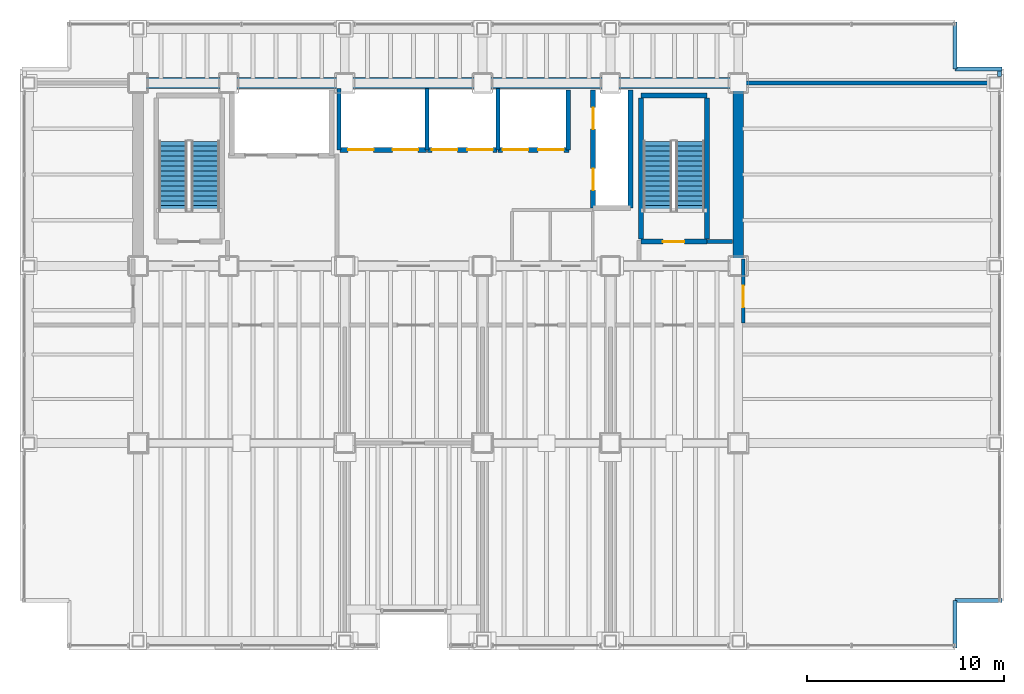
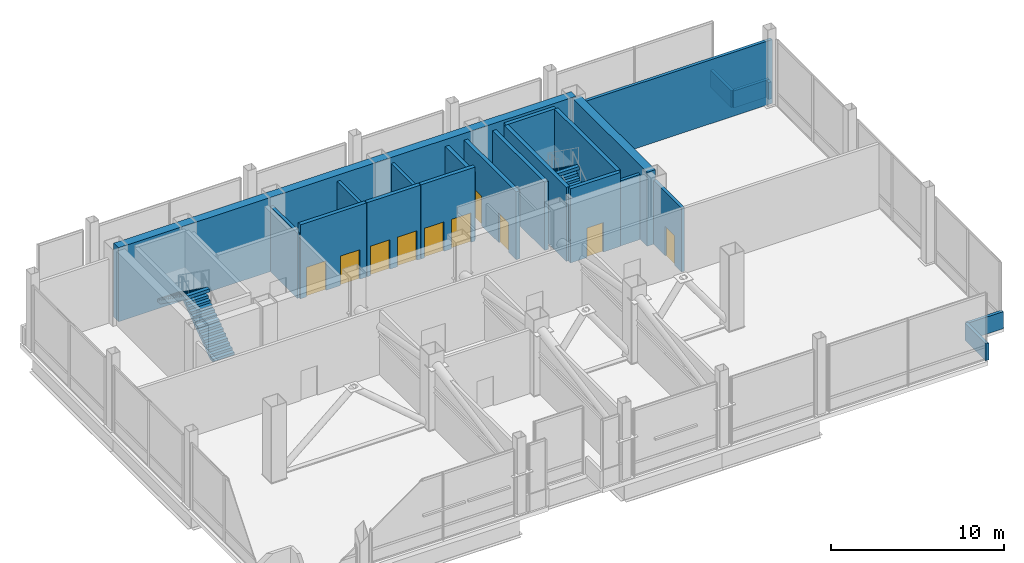
# One storey, part 19 of 20: 23 walls, 10 doors, 4 stair flights, 10 openings, 2 elements without a shape of their own.
"""IFC4 building model written with IfcOpenShell, lengths in metres."""

from ifc_helpers import new_model, si_unit, direction, frame, frame_2d, origin, place, context, subcontext, project, spatial, polyline, rectangle, outline, extrude, material, layer, layer_set, type_object, element, fill, aggregate, save


model = new_model("IFC4")

# Units and contexts
model_context = context("Model", 3, precision=1e-05, world=origin(), true_north=direction((0.0, 1.0)))
body_context = subcontext(model_context, "Body", "Model", "MODEL_VIEW")
ifc_project = project(units=[si_unit("LENGTHUNIT", "METRE"), si_unit("AREAUNIT", "SQUARE_METRE"), si_unit("VOLUMEUNIT", "CUBIC_METRE"), si_unit("PLANEANGLEUNIT", "RADIAN"), si_unit("MASSUNIT", "GRAM", prefix="KILO")], contexts=[model_context])

# Site, building, storey
site_placement = place(None, origin())
site = spatial("IfcSite", under=ifc_project, at=site_placement, CompositionType="ELEMENT")
building_placement = place(site_placement, origin())
building = spatial("IfcBuilding", under=site, at=building_placement, Name="Noeulbin Bourse Tower", CompositionType="ELEMENT")
storey_placement = place(building_placement, frame((0.0, 0.0, 100.60009765625)))
storey = spatial("IfcBuildingStorey", under=building, at=storey_placement, Name="L25", CompositionType="ELEMENT", Elevation=100.60009765625)

# Walls
ifc_material_1 = material(Name="Concrete C60/75", Category="concrete")
ifc_layer_1 = layer(ifc_material_1, 0.550048828125)
ifc_layer_set_1 = layer_set([ifc_layer_1], Name="Concrete C60/75")
wall_type_1 = type_object("IfcWallType", Name="WAL-CORE-550", PredefinedType="SHEAR", material=ifc_layer_set_1)
wall_1_placement = place(storey_placement, frame((13.5, 38.300048828125, 0.0), z_axis=(0.0, 0.0, 1.0), x_axis=(1.0, 0.0, 0.0)))
element("IfcWall", 1, at=wall_1_placement, inside=storey, type_object=wall_type_1, Name="Rear Core North Shear Wall L25", PredefinedType="SHEAR", context=body_context, shape_type="SweptSolid", body=[
    extrude(rectangle(XDim=30.5, YDim=0.550048828125, at=frame_2d((15.25, 0.0))), origin(), (0.0, 0.0, 1.0), 5.219970703125),
])
wall_2_placement = place(storey_placement, frame((44.0, 29.35009765625, 0.0), z_axis=(0.0, 0.0, 1.0), x_axis=(0.0, 1.0, 0.0)))
element("IfcWall", 2, at=wall_2_placement, inside=storey, type_object=wall_type_1, Name="Rear Core East Shear Wall L25", PredefinedType="SHEAR", context=body_context, shape_type="SweptSolid", body=[
    extrude(rectangle(XDim=8.599853515625, YDim=0.550048828125, at=frame_2d((4.2998046875, 0.0))), origin(), (0.0, 0.0, 1.0), 5.219970703125),
])
ifc_material_2 = material(Name="Concrete C40/50", Category="concrete")
ifc_layer_2 = layer(ifc_material_2, 0.199951171875)
ifc_layer_set_2 = layer_set([ifc_layer_2], Name="Concrete C40/50")
wall_type_2 = type_object("IfcWallType", Name="WAL-FIRE-200", PredefinedType="STANDARD", material=ifc_layer_set_2)
wall_3_placement = place(storey_placement, frame((42.39990234375, 30.239990234375, 0.0), z_axis=(0.0, 0.0, 1.0), x_axis=(1.0, 0.0, 0.0)))
element("IfcWall", 3, at=wall_3_placement, inside=storey, type_object=wall_type_2, Name="Interior Partition Wall L25-01", PredefinedType="STANDARD", context=body_context, shape_type="SweptSolid", body=[
    extrude(rectangle(XDim=1.315185546875, YDim=0.199951171875, at=frame_2d((0.65771484375, 0.0))), origin(), (0.0, 0.0, 1.0), 4.599853515625),
])
wall_4_placement = place(storey_placement, frame((44.0, 38.300048828125, 0.0), z_axis=(0.0, 0.0, 1.0), x_axis=(1.0, 0.0, 0.0)))
element("IfcWall", 4, at=wall_4_placement, inside=storey, type_object=wall_type_2, Name="Interior Partition Wall L25-05", PredefinedType="STANDARD", context=body_context, shape_type="SweptSolid", body=[
    extrude(rectangle(XDim=13.18994140625, YDim=0.199951171875, at=frame_2d((6.594970703125, 0.0))), origin(), (0.0, 0.0, 1.0), 4.5),
])

# Wall, opening, door
wall_5_placement = place(storey_placement, frame((44.25, 26.110107421875, 0.0), z_axis=(0.0, 0.0, 1.0), x_axis=(0.0, 1.0, 0.0)))
wall_5 = element("IfcWall", 5, at=wall_5_placement, inside=storey, type_object=wall_type_2, Name="Interior Partition Wall L25-14", PredefinedType="STANDARD", context=body_context, shape_type="SweptSolid", body=[
    extrude(rectangle(XDim=3.239990234375, YDim=0.199951171875, at=frame_2d((1.6201171875, 0.0))), origin(), (0.0, 0.0, 1.0), 4.5),
])
opening_1_placement = place(wall_5_placement, frame((0.7900390625, 0.0, 0.0)))
opening_1 = element("IfcOpeningElement", 6, at=opening_1_placement, cuts=wall_5, Name="Opening FD-11", PredefinedType="OPENING", context=body_context, shape_type="SweptSolid", body=[
    extrude(rectangle(XDim=1.10009765625, YDim=2.080078125, at=frame_2d((0.550048828125, 1.0400390625))), frame((0.0, 0.10986328125, 0.0), z_axis=(0.0, -1.0, 0.0), x_axis=(1.0, 0.0, 0.0)), (0.0, 0.0, 1.0), 0.219970703125),
])
ifc_material_3 = material(Name="Fire-Rated Insulated Steel", Category="steel")
door_type_1 = type_object("IfcDoorType", Name="DR-FD60-1100", OperationType="SINGLE_SWING_LEFT", PredefinedType="DOOR", material=ifc_material_3)
door_1_placement = place(opening_1_placement, origin())
door_1 = element("IfcDoor", 7, at=door_1_placement, inside=storey, type_object=door_type_1, Name="Interior Door L25-08", OperationType="SINGLE_SWING_RIGHT", OverallHeight=2.080078125, OverallWidth=1.10009765625, PredefinedType="DOOR", context=body_context, shape_type="SweptSolid", body=[
    extrude(rectangle(XDim=1.10009765625, YDim=2.080078125, at=frame_2d((0.550048828125, 1.0400390625))), frame((0.0, 0.02490234375, 0.0), z_axis=(0.0, -1.0, 0.0), x_axis=(1.0, 0.0, 0.0)), (0.0, 0.0, 1.0), 0.050048828125),
])
fill(opening_1, door_1)

# Walls
ifc_layer_3 = layer(ifc_material_2, 0.199951171875)
ifc_layer_set_3 = layer_set([ifc_layer_3], Name="Concrete C40/50")
wall_type_3 = type_object("IfcWallType", Name="WAL-PAR-200", PredefinedType="PARAPET", material=ifc_layer_set_3)
wall_6_placement = place(storey_placement, frame((57.280029296875, 38.6201171875, 0.0), z_axis=(0.0, 0.0, 1.0), x_axis=(0.0, 1.0, 0.0)))
element("IfcWall", 8, at=wall_6_placement, inside=storey, type_object=wall_type_3, Name="Perimeter Pier Spandrel Parapet L25-E2", PredefinedType="PARAPET", context=body_context, shape_type="SweptSolid", body=[
    extrude(rectangle(XDim=0.27978515625, YDim=0.199951171875, at=frame_2d((0.139892578125, 0.0))), origin(), (0.0, 0.0, 1.0), 1.199951171875),
])
for number, where, z_axis, x_axis, name in (
    (9, (55.0, 9.60009765625, 0.0), (0.0, 0.0, 1.0), (0.0, 1.0, 0.0), "Corner Notch Parapet L25-SE1"),
    (10, (55.0, 12.0, 0.0), (0.0, 0.0, 1.0), (1.0, 0.0, 0.0), "Corner Notch Parapet L25-SE2"),
    (11, (55.0, 41.39990234375, 0.0), (0.0, 0.0, 1.0), (0.0, -1.0, 0.0), "Corner Notch Parapet L25-NE1"),
    (12, (55.0, 39.0, 0.0), (0.0, 0.0, 1.0), (1.0, 0.0, 0.0), "Corner Notch Parapet L25-NE2"),
):
    element("IfcWall", number, at=place(storey_placement, frame(where, z_axis=z_axis, x_axis=x_axis)), inside=storey, type_object=wall_type_3, Name=name, PredefinedType="PARAPET", context=body_context, shape_type="SweptSolid", body=[
        extrude(rectangle(XDim=2.39990234375, YDim=0.199951171875, at=frame_2d((1.199951171875, 0.0))), origin(), (0.0, 0.0, 1.0), 1.199951171875),
    ])

# Wall, opening, door
ifc_layer_4 = layer(ifc_material_2, 0.25)
ifc_layer_set_4 = layer_set([ifc_layer_4], Name="Concrete C40/50")
wall_type_4 = type_object("IfcWallType", Name="WAL-SHFT-250", PredefinedType="STANDARD", material=ifc_layer_set_4)
wall_7_placement = place(storey_placement, frame((39.06005859375, 30.235107421875, 0.0), z_axis=(0.0, 0.0, 1.0), x_axis=(1.0, 0.0, 0.0)))
wall_7 = element("IfcWall", 13, at=wall_7_placement, inside=storey, type_object=wall_type_4, Name="Stair ST-2 South Shaft Wall L25", PredefinedType="STANDARD", context=body_context, shape_type="SweptSolid", body=[
    extrude(rectangle(XDim=3.33984375, YDim=0.25, at=frame_2d((1.669921875, 0.0))), origin(), (0.0, 0.0, 1.0), 5.219970703125),
])
opening_2_placement = place(wall_7_placement, frame((1.10009765625, 0.0, 0.0)))
opening_2 = element("IfcOpeningElement", 14, at=opening_2_placement, cuts=wall_7, Name="Opening FD-11", PredefinedType="OPENING", context=body_context, shape_type="SweptSolid", body=[
    extrude(rectangle(XDim=1.10009765625, YDim=2.080078125, at=frame_2d((0.550048828125, 1.0400390625))), frame((0.0, 0.135009765625, 0.0), z_axis=(0.0, -1.0, 0.0), x_axis=(1.0, 0.0, 0.0)), (0.0, 0.0, 1.0), 0.27001953125),
])
door_2_placement = place(opening_2_placement, origin())
door_2 = element("IfcDoor", 15, at=door_2_placement, inside=storey, type_object=door_type_1, Name="Protected Stair Entry Door ST2-L25", OperationType="SINGLE_SWING_RIGHT", OverallHeight=2.080078125, OverallWidth=1.10009765625, PredefinedType="DOOR", context=body_context, shape_type="SweptSolid", body=[
    extrude(rectangle(XDim=1.10009765625, YDim=2.080078125, at=frame_2d((0.550048828125, 1.0400390625))), frame((0.0, 0.02490234375, 0.0), z_axis=(0.0, -1.0, 0.0), x_axis=(1.0, 0.0, 0.0)), (0.0, 0.0, 1.0), 0.050048828125),
])
fill(opening_2, door_2)

# Walls
wall_8_placement = place(storey_placement, frame((39.06005859375, 37.6689453125, 0.0), z_axis=(0.0, 0.0, 1.0), x_axis=(1.0, 0.0, 0.0)))
element("IfcWall", 16, at=wall_8_placement, inside=storey, type_object=wall_type_4, Name="Stair ST-2 North Shaft Wall L25", PredefinedType="STANDARD", context=body_context, shape_type="SweptSolid", body=[
    extrude(rectangle(XDim=3.33984375, YDim=0.25, at=frame_2d((1.669921875, 0.0))), origin(), (0.0, 0.0, 1.0), 5.219970703125),
])
for number, where, z_axis, x_axis, name in (
    (17, (39.054931640625, 30.360107421875, 0.0), (0.0, 0.0, 1.0), (0.0, 1.0, 0.0), "Stair ST-2 West Shaft Wall L25"),
    (18, (42.405029296875, 30.360107421875, 0.0), (0.0, 0.0, 1.0), (0.0, 1.0, 0.0), "Stair ST-2 East Shaft Wall L25"),
):
    element("IfcWall", number, at=place(storey_placement, frame(where, z_axis=z_axis, x_axis=x_axis)), inside=storey, type_object=wall_type_4, Name=name, PredefinedType="STANDARD", context=body_context, shape_type="SweptSolid", body=[
        extrude(rectangle(XDim=7.183837890625, YDim=0.25, at=frame_2d((3.591796875, 0.0))), origin(), (0.0, 0.0, 1.0), 5.219970703125),
    ])

# Wall, openings, doors
wall_9_placement = place(storey_placement, frame((36.6201171875, 31.949951171875, 0.0), z_axis=(0.0, 0.0, 1.0), x_axis=(0.0, 1.0, 0.0)))
wall_9 = element("IfcWall", 19, at=wall_9_placement, inside=storey, type_object=wall_type_4, Name="Service Lift Shaft Wall L25", PredefinedType="STANDARD", context=body_context, shape_type="SweptSolid", body=[
    extrude(rectangle(XDim=6.0, YDim=0.25, at=frame_2d((3.0, 0.0))), origin(), (0.0, 0.0, 1.0), 4.7998046875),
])
opening_3_placement = place(wall_9_placement, frame((0.89990234375, 0.0, 0.0)))
opening_3 = element("IfcOpeningElement", 20, at=opening_3_placement, cuts=wall_9, Name="Opening LD-11", PredefinedType="OPENING", context=body_context, shape_type="SweptSolid", body=[
    extrude(rectangle(XDim=1.10009765625, YDim=2.080078125, at=frame_2d((0.550048828125, 1.0400390625))), frame((0.0, 0.135009765625, 0.0), z_axis=(0.0, -1.0, 0.0), x_axis=(1.0, 0.0, 0.0)), (0.0, 0.0, 1.0), 0.27001953125),
])
opening_4_placement = place(wall_9_placement, frame((4.0, 0.0, 0.0)))
opening_4 = element("IfcOpeningElement", 21, at=opening_4_placement, cuts=wall_9, Name="Opening LD-11", PredefinedType="OPENING", context=body_context, shape_type="SweptSolid", body=[
    extrude(rectangle(XDim=1.10009765625, YDim=2.080078125, at=frame_2d((0.550048828125, 1.0400390625))), frame((0.0, 0.135009765625, 0.0), z_axis=(0.0, -1.0, 0.0), x_axis=(1.0, 0.0, 0.0)), (0.0, 0.0, 1.0), 0.27001953125),
])
ifc_material_4 = material(Name="Brushed Stainless Steel 316", Category="steel")
door_type_2 = type_object("IfcDoorType", Name="DR-LIFT-1100", OperationType="SLIDING_TO_LEFT", PredefinedType="DOOR", material=ifc_material_4)
door_3_placement = place(opening_3_placement, origin())
door_3 = element("IfcDoor", 22, at=door_3_placement, inside=storey, type_object=door_type_2, Name="Lift Landing Door LD-EL-01-L25", OperationType="SLIDING_TO_LEFT", OverallHeight=2.080078125, OverallWidth=1.10009765625, PredefinedType="DOOR", context=body_context, shape_type="SweptSolid", body=[
    extrude(rectangle(XDim=1.10009765625, YDim=2.080078125, at=frame_2d((0.550048828125, 1.0400390625))), frame((0.0, 0.02490234375, 0.0), z_axis=(0.0, -1.0, 0.0), x_axis=(1.0, 0.0, 0.0)), (0.0, 0.0, 1.0), 0.050048828125),
])
fill(opening_3, door_3)
door_4_placement = place(opening_4_placement, origin())
door_4 = element("IfcDoor", 23, at=door_4_placement, inside=storey, type_object=door_type_2, Name="Lift Landing Door LD-SV-01-L25", OperationType="SLIDING_TO_LEFT", OverallHeight=2.080078125, OverallWidth=1.10009765625, PredefinedType="DOOR", context=body_context, shape_type="SweptSolid", body=[
    extrude(rectangle(XDim=1.10009765625, YDim=2.080078125, at=frame_2d((0.550048828125, 1.0400390625))), frame((0.0, 0.02490234375, 0.0), z_axis=(0.0, -1.0, 0.0), x_axis=(1.0, 0.0, 0.0)), (0.0, 0.0, 1.0), 0.050048828125),
])
fill(opening_4, door_4)

# Walls
wall_10_placement = place(storey_placement, frame((38.52001953125, 31.949951171875, 0.0), z_axis=(0.0, 0.0, 1.0), x_axis=(0.0, 1.0, 0.0)))
element("IfcWall", 24, at=wall_10_placement, inside=storey, type_object=wall_type_4, Name="Service Lift East Shaft Wall L25", PredefinedType="STANDARD", context=body_context, shape_type="SweptSolid", body=[
    extrude(rectangle(XDim=6.0, YDim=0.25, at=frame_2d((3.0, 0.0))), origin(), (0.0, 0.0, 1.0), 4.7998046875),
])
wall_11_placement = place(storey_placement, frame((35.360107421875, 34.89990234375, 0.0), z_axis=(0.0, 0.0, 1.0), x_axis=(0.0, 1.0, 0.0)))
element("IfcWall", 25, at=wall_11_placement, inside=storey, type_object=wall_type_4, Name="High-Rise Lift East Shaft Wall L25", PredefinedType="STANDARD", context=body_context, shape_type="SweptSolid", body=[
    extrude(rectangle(XDim=3.050048828125, YDim=0.25, at=frame_2d((1.52490234375, 0.0))), origin(), (0.0, 0.0, 1.0), 4.7998046875),
])

# Wall, openings, doors
wall_12_placement = place(storey_placement, frame((23.75, 34.89990234375, 0.0), z_axis=(0.0, 0.0, 1.0), x_axis=(1.0, 0.0, 0.0)))
wall_12 = element("IfcWall", 26, at=wall_12_placement, inside=storey, type_object=wall_type_4, Name="Low-Rise Lift Bank Front L25", PredefinedType="STANDARD", context=body_context, shape_type="SweptSolid", body=[
    extrude(rectangle(XDim=4.39990234375, YDim=0.25, at=frame_2d((2.199951171875, 0.0))), origin(), (0.0, 0.0, 1.0), 5.219970703125),
])
opening_5_placement = place(wall_12_placement, frame((0.419921875, 0.0, 0.0)))
opening_5 = element("IfcOpeningElement", 27, at=opening_5_placement, cuts=wall_12, Name="Opening LD-13", PredefinedType="OPENING", context=body_context, shape_type="SweptSolid", body=[
    extrude(rectangle(XDim=1.300048828125, YDim=2.080078125, at=frame_2d((0.64990234375, 1.0400390625))), frame((0.0, 0.135009765625, 0.0), z_axis=(0.0, -1.0, 0.0), x_axis=(1.0, 0.0, 0.0)), (0.0, 0.0, 1.0), 0.27001953125),
])
opening_6_placement = place(wall_12_placement, frame((2.679931640625, 0.0, 0.0)))
opening_6 = element("IfcOpeningElement", 28, at=opening_6_placement, cuts=wall_12, Name="Opening LD-13", PredefinedType="OPENING", context=body_context, shape_type="SweptSolid", body=[
    extrude(rectangle(XDim=1.300048828125, YDim=2.080078125, at=frame_2d((0.64990234375, 1.0400390625))), frame((0.0, 0.135009765625, 0.0), z_axis=(0.0, -1.0, 0.0), x_axis=(1.0, 0.0, 0.0)), (0.0, 0.0, 1.0), 0.27001953125),
])
door_type_3 = type_object("IfcDoorType", Name="DR-LIFT-1300", OperationType="DOUBLE_DOOR_SLIDING", PredefinedType="DOOR", material=ifc_material_4)
door_5_placement = place(opening_5_placement, origin())
door_5 = element("IfcDoor", 29, at=door_5_placement, inside=storey, type_object=door_type_3, Name="Lift Landing Door LD-PL-L1-L25", OperationType="DOUBLE_DOOR_SLIDING", OverallHeight=2.080078125, OverallWidth=1.300048828125, PredefinedType="DOOR", context=body_context, shape_type="SweptSolid", body=[
    extrude(rectangle(XDim=1.300048828125, YDim=2.080078125, at=frame_2d((0.64990234375, 1.0400390625))), frame((0.0, 0.02490234375, 0.0), z_axis=(0.0, -1.0, 0.0), x_axis=(1.0, 0.0, 0.0)), (0.0, 0.0, 1.0), 0.050048828125),
])
fill(opening_5, door_5)
door_6_placement = place(opening_6_placement, origin())
door_6 = element("IfcDoor", 30, at=door_6_placement, inside=storey, type_object=door_type_3, Name="Lift Landing Door LD-PL-L2-L25", OperationType="DOUBLE_DOOR_SLIDING", OverallHeight=2.080078125, OverallWidth=1.300048828125, PredefinedType="DOOR", context=body_context, shape_type="SweptSolid", body=[
    extrude(rectangle(XDim=1.300048828125, YDim=2.080078125, at=frame_2d((0.64990234375, 1.0400390625))), frame((0.0, 0.02490234375, 0.0), z_axis=(0.0, -1.0, 0.0), x_axis=(1.0, 0.0, 0.0)), (0.0, 0.0, 1.0), 0.050048828125),
])
fill(opening_6, door_6)

wall_13_placement = place(storey_placement, frame((28.199951171875, 34.89990234375, 0.0), z_axis=(0.0, 0.0, 1.0), x_axis=(1.0, 0.0, 0.0)))
wall_13 = element("IfcWall", 31, at=wall_13_placement, inside=storey, type_object=wall_type_4, Name="Mid-Rise Lift Bank Front L25", PredefinedType="STANDARD", context=body_context, shape_type="SweptSolid", body=[
    extrude(rectangle(XDim=3.550048828125, YDim=0.25, at=frame_2d((1.77490234375, 0.0))), origin(), (0.0, 0.0, 1.0), 5.219970703125),
])
opening_7_placement = place(wall_13_placement, frame((0.22998046875, 0.0, 0.0)))
opening_7 = element("IfcOpeningElement", 32, at=opening_7_placement, cuts=wall_13, Name="Opening LD-13", PredefinedType="OPENING", context=body_context, shape_type="SweptSolid", body=[
    extrude(rectangle(XDim=1.300048828125, YDim=2.080078125, at=frame_2d((0.64990234375, 1.0400390625))), frame((0.0, 0.135009765625, 0.0), z_axis=(0.0, -1.0, 0.0), x_axis=(1.0, 0.0, 0.0)), (0.0, 0.0, 1.0), 0.27001953125),
])
opening_8_placement = place(wall_13_placement, frame((2.030029296875, 0.0, 0.0)))
opening_8 = element("IfcOpeningElement", 33, at=opening_8_placement, cuts=wall_13, Name="Opening LD-13", PredefinedType="OPENING", context=body_context, shape_type="SweptSolid", body=[
    extrude(rectangle(XDim=1.300048828125, YDim=2.080078125, at=frame_2d((0.64990234375, 1.0400390625))), frame((0.0, 0.135009765625, 0.0), z_axis=(0.0, -1.0, 0.0), x_axis=(1.0, 0.0, 0.0)), (0.0, 0.0, 1.0), 0.27001953125),
])
door_7_placement = place(opening_7_placement, origin())
door_7 = element("IfcDoor", 34, at=door_7_placement, inside=storey, type_object=door_type_3, Name="Lift Landing Door LD-PL-M1-L25", OperationType="DOUBLE_DOOR_SLIDING", OverallHeight=2.080078125, OverallWidth=1.300048828125, PredefinedType="DOOR", context=body_context, shape_type="SweptSolid", body=[
    extrude(rectangle(XDim=1.300048828125, YDim=2.080078125, at=frame_2d((0.64990234375, 1.0400390625))), frame((0.0, 0.02490234375, 0.0), z_axis=(0.0, -1.0, 0.0), x_axis=(1.0, 0.0, 0.0)), (0.0, 0.0, 1.0), 0.050048828125),
])
fill(opening_7, door_7)
door_8_placement = place(opening_8_placement, origin())
door_8 = element("IfcDoor", 35, at=door_8_placement, inside=storey, type_object=door_type_3, Name="Lift Landing Door LD-PL-M2-L25", OperationType="DOUBLE_DOOR_SLIDING", OverallHeight=2.080078125, OverallWidth=1.300048828125, PredefinedType="DOOR", context=body_context, shape_type="SweptSolid", body=[
    extrude(rectangle(XDim=1.300048828125, YDim=2.080078125, at=frame_2d((0.64990234375, 1.0400390625))), frame((0.0, 0.02490234375, 0.0), z_axis=(0.0, -1.0, 0.0), x_axis=(1.0, 0.0, 0.0)), (0.0, 0.0, 1.0), 0.050048828125),
])
fill(opening_8, door_8)

wall_14_placement = place(storey_placement, frame((31.800048828125, 34.89990234375, 0.0), z_axis=(0.0, 0.0, 1.0), x_axis=(1.0, 0.0, 0.0)))
wall_14 = element("IfcWall", 36, at=wall_14_placement, inside=storey, type_object=wall_type_4, Name="High-Rise Lift Bank Front L25", PredefinedType="STANDARD", context=body_context, shape_type="SweptSolid", body=[
    extrude(rectangle(XDim=3.599853515625, YDim=0.25, at=frame_2d((1.7998046875, 0.0))), origin(), (0.0, 0.0, 1.0), 5.219970703125),
])
opening_9_placement = place(wall_14_placement, frame((0.22998046875, 0.0, 0.0)))
opening_9 = element("IfcOpeningElement", 37, at=opening_9_placement, cuts=wall_14, Name="Opening LD-13", PredefinedType="OPENING", context=body_context, shape_type="SweptSolid", body=[
    extrude(rectangle(XDim=1.300048828125, YDim=2.080078125, at=frame_2d((0.64990234375, 1.0400390625))), frame((0.0, 0.135009765625, 0.0), z_axis=(0.0, -1.0, 0.0), x_axis=(1.0, 0.0, 0.0)), (0.0, 0.0, 1.0), 0.27001953125),
])
opening_10_placement = place(wall_14_placement, frame((2.030029296875, 0.0, 0.0)))
opening_10 = element("IfcOpeningElement", 38, at=opening_10_placement, cuts=wall_14, Name="Opening LD-13", PredefinedType="OPENING", context=body_context, shape_type="SweptSolid", body=[
    extrude(rectangle(XDim=1.300048828125, YDim=2.080078125, at=frame_2d((0.64990234375, 1.0400390625))), frame((0.0, 0.135009765625, 0.0), z_axis=(0.0, -1.0, 0.0), x_axis=(1.0, 0.0, 0.0)), (0.0, 0.0, 1.0), 0.27001953125),
])
door_9_placement = place(opening_9_placement, origin())
door_9 = element("IfcDoor", 39, at=door_9_placement, inside=storey, type_object=door_type_3, Name="Lift Landing Door LD-PL-H1-L25", OperationType="DOUBLE_DOOR_SLIDING", OverallHeight=2.080078125, OverallWidth=1.300048828125, PredefinedType="DOOR", context=body_context, shape_type="SweptSolid", body=[
    extrude(rectangle(XDim=1.300048828125, YDim=2.080078125, at=frame_2d((0.64990234375, 1.0400390625))), frame((0.0, 0.02490234375, 0.0), z_axis=(0.0, -1.0, 0.0), x_axis=(1.0, 0.0, 0.0)), (0.0, 0.0, 1.0), 0.050048828125),
])
fill(opening_9, door_9)
door_10_placement = place(opening_10_placement, origin())
door_10 = element("IfcDoor", 40, at=door_10_placement, inside=storey, type_object=door_type_3, Name="Lift Landing Door LD-PL-H2-L25", OperationType="DOUBLE_DOOR_SLIDING", OverallHeight=2.080078125, OverallWidth=1.300048828125, PredefinedType="DOOR", context=body_context, shape_type="SweptSolid", body=[
    extrude(rectangle(XDim=1.300048828125, YDim=2.080078125, at=frame_2d((0.64990234375, 1.0400390625))), frame((0.0, 0.02490234375, 0.0), z_axis=(0.0, -1.0, 0.0), x_axis=(1.0, 0.0, 0.0)), (0.0, 0.0, 1.0), 0.050048828125),
])
fill(opening_10, door_10)

# Walls
wall_15_placement = place(storey_placement, frame((23.719970703125, 34.89990234375, 0.0), z_axis=(0.0, 0.0, 1.0), x_axis=(0.0, 1.0, 0.0)))
element("IfcWall", 41, at=wall_15_placement, inside=storey, type_object=wall_type_4, Name="Hoistway Side Shaft Wall L25-PLLW", PredefinedType="STANDARD", context=body_context, shape_type="SweptSolid", body=[
    extrude(rectangle(XDim=3.1201171875, YDim=0.199951171875, at=frame_2d((1.56005859375, 0.0))), origin(), (0.0, 0.0, 1.0), 4.599853515625),
])
for number, where, z_axis, x_axis, name in (
    (42, (28.179931640625, 34.89990234375, 0.0), (0.0, 0.0, 1.0), (0.0, 1.0, 0.0), "Hoistway Side Shaft Wall L25-PLMW"),
    (43, (31.780029296875, 34.89990234375, 0.0), (0.0, 0.0, 1.0), (0.0, 1.0, 0.0), "Hoistway Side Shaft Wall L25-PLHW"),
):
    element("IfcWall", number, at=place(storey_placement, frame(where, z_axis=z_axis, x_axis=x_axis)), inside=storey, type_object=wall_type_4, Name=name, PredefinedType="STANDARD", context=body_context, shape_type="SweptSolid", body=[
        extrude(rectangle(XDim=3.1201171875, YDim=0.199951171875, at=frame_2d((1.56005859375, 0.0))), origin(), (0.0, 0.0, 1.0), 4.7998046875),
    ])

# Stair, stair flights
stair_type = type_object("IfcStairType", Name="STR-CORE-1560", PredefinedType="HALF_TURN_STAIR", material=ifc_material_2)
stair_1_placement = place(storey_placement, origin())
stair_1 = element("IfcStair", 44, at=stair_1_placement, inside=storey, type_object=stair_type, Name="L25 ST-1", PredefinedType="HALF_TURN_STAIR")
stair_flight_type = type_object("IfcStairFlightType", Name="SFL-CORE-1560", PredefinedType="STRAIGHT", material=ifc_material_2)
stair_flight_1_placement = place(storey_placement, frame((16.925048828125, 31.81005859375, 0.0), z_axis=(0.0, 0.0, 1.0), x_axis=(0.0, 1.0, 0.0)))
stair_flight_1 = element("IfcStairFlight", 45, at=stair_flight_1_placement, type_object=stair_flight_type, Name="ST-1 flight 1", NumberOfRisers=15, NumberOfTreads=14, PredefinedType="STRAIGHT", RiserHeight=0.18, TreadLength=0.252, context=body_context, shape_type="SweptSolid", body=[
    extrude(outline(polyline([(0.0, 0.0), (0.0, 0.179931640625), (0.251953125, 0.179931640625), (0.251953125, 0.360107421875), (0.50390625, 0.360107421875), (0.50390625, 0.5400390625), (0.756103515625, 0.5400390625), (0.756103515625, 0.719970703125), (1.008056640625, 0.719970703125), (1.008056640625, 0.89990234375), (1.260009765625, 0.89990234375), (1.260009765625, 1.080078125), (1.511962890625, 1.080078125), (1.511962890625, 1.260009765625), (1.763916015625, 1.260009765625), (1.763916015625, 1.43994140625), (2.01611328125, 1.43994140625), (2.01611328125, 1.6201171875), (2.26806640625, 1.6201171875), (2.26806640625, 1.800048828125), (2.52001953125, 1.800048828125), (2.52001953125, 1.97998046875), (2.77197265625, 1.97998046875), (2.77197265625, 2.159912109375), (3.02392578125, 2.159912109375), (3.02392578125, 2.340087890625), (3.27587890625, 2.340087890625), (3.27587890625, 2.52001953125), (3.528076171875, 2.52001953125), (3.528076171875, 2.699951171875), (3.528076171875, 2.298828125), (0.3095703125, 0.0), (0.0, 0.0)])), frame((0.0, 0.72509765625, 0.0), z_axis=(0.0, -1.0, 0.0), x_axis=(1.0, 0.0, 0.0)), (0.0, 0.0, 1.0), 1.449951171875),
])
stair_flight_2_placement = place(storey_placement, frame((15.27490234375, 35.337890625, 2.699951171875), z_axis=(0.0, 0.0, 1.0), x_axis=(0.0, -1.0, 0.0)))
stair_flight_2 = element("IfcStairFlight", 46, at=stair_flight_2_placement, type_object=stair_flight_type, Name="ST-1 flight 2", NumberOfRisers=15, NumberOfTreads=14, PredefinedType="STRAIGHT", RiserHeight=0.18, TreadLength=0.252, context=body_context, shape_type="SweptSolid", body=[
    extrude(outline(polyline([(0.0, 0.0), (0.0, 0.179931640625), (0.251953125, 0.179931640625), (0.251953125, 0.360107421875), (0.50390625, 0.360107421875), (0.50390625, 0.5400390625), (0.756103515625, 0.5400390625), (0.756103515625, 0.719970703125), (1.008056640625, 0.719970703125), (1.008056640625, 0.89990234375), (1.260009765625, 0.89990234375), (1.260009765625, 1.080078125), (1.511962890625, 1.080078125), (1.511962890625, 1.260009765625), (1.763916015625, 1.260009765625), (1.763916015625, 1.43994140625), (2.01611328125, 1.43994140625), (2.01611328125, 1.6201171875), (2.26806640625, 1.6201171875), (2.26806640625, 1.800048828125), (2.52001953125, 1.800048828125), (2.52001953125, 1.97998046875), (2.77197265625, 1.97998046875), (2.77197265625, 2.159912109375), (3.02392578125, 2.159912109375), (3.02392578125, 2.340087890625), (3.27587890625, 2.340087890625), (3.27587890625, 2.52001953125), (3.528076171875, 2.52001953125), (3.528076171875, 2.699951171875), (3.528076171875, 2.298828125), (0.3095703125, 0.0), (0.0, 0.0)])), frame((0.0, 0.72509765625, 0.0), z_axis=(0.0, -1.0, 0.0), x_axis=(1.0, 0.0, 0.0)), (0.0, 0.0, 1.0), 1.449951171875),
])
aggregate(stair_1, [stair_flight_1, stair_flight_2])

stair_2_placement = place(storey_placement, origin())
stair_2 = element("IfcStair", 47, at=stair_2_placement, inside=storey, type_object=stair_type, Name="L25 ST-2", PredefinedType="HALF_TURN_STAIR")
stair_flight_3_placement = place(storey_placement, frame((41.554931640625, 31.81005859375, 0.0), z_axis=(0.0, 0.0, 1.0), x_axis=(0.0, 1.0, 0.0)))
stair_flight_3 = element("IfcStairFlight", 48, at=stair_flight_3_placement, type_object=stair_flight_type, Name="ST-2 flight 1", NumberOfRisers=15, NumberOfTreads=14, PredefinedType="STRAIGHT", RiserHeight=0.18, TreadLength=0.252, context=body_context, shape_type="SweptSolid", body=[
    extrude(outline(polyline([(0.0, 0.0), (0.0, 0.179931640625), (0.251953125, 0.179931640625), (0.251953125, 0.360107421875), (0.50390625, 0.360107421875), (0.50390625, 0.5400390625), (0.756103515625, 0.5400390625), (0.756103515625, 0.719970703125), (1.008056640625, 0.719970703125), (1.008056640625, 0.89990234375), (1.260009765625, 0.89990234375), (1.260009765625, 1.080078125), (1.511962890625, 1.080078125), (1.511962890625, 1.260009765625), (1.763916015625, 1.260009765625), (1.763916015625, 1.43994140625), (2.01611328125, 1.43994140625), (2.01611328125, 1.6201171875), (2.26806640625, 1.6201171875), (2.26806640625, 1.800048828125), (2.52001953125, 1.800048828125), (2.52001953125, 1.97998046875), (2.77197265625, 1.97998046875), (2.77197265625, 2.159912109375), (3.02392578125, 2.159912109375), (3.02392578125, 2.340087890625), (3.27587890625, 2.340087890625), (3.27587890625, 2.52001953125), (3.528076171875, 2.52001953125), (3.528076171875, 2.699951171875), (3.528076171875, 2.298828125), (0.3095703125, 0.0), (0.0, 0.0)])), frame((0.0, 0.72509765625, 0.0), z_axis=(0.0, -1.0, 0.0), x_axis=(1.0, 0.0, 0.0)), (0.0, 0.0, 1.0), 1.449951171875),
])
stair_flight_4_placement = place(storey_placement, frame((39.905029296875, 35.337890625, 2.699951171875), z_axis=(0.0, 0.0, 1.0), x_axis=(0.0, -1.0, 0.0)))
stair_flight_4 = element("IfcStairFlight", 49, at=stair_flight_4_placement, type_object=stair_flight_type, Name="ST-2 flight 2", NumberOfRisers=15, NumberOfTreads=14, PredefinedType="STRAIGHT", RiserHeight=0.18, TreadLength=0.252, context=body_context, shape_type="SweptSolid", body=[
    extrude(outline(polyline([(0.0, 0.0), (0.0, 0.179931640625), (0.251953125, 0.179931640625), (0.251953125, 0.360107421875), (0.50390625, 0.360107421875), (0.50390625, 0.5400390625), (0.756103515625, 0.5400390625), (0.756103515625, 0.719970703125), (1.008056640625, 0.719970703125), (1.008056640625, 0.89990234375), (1.260009765625, 0.89990234375), (1.260009765625, 1.080078125), (1.511962890625, 1.080078125), (1.511962890625, 1.260009765625), (1.763916015625, 1.260009765625), (1.763916015625, 1.43994140625), (2.01611328125, 1.43994140625), (2.01611328125, 1.6201171875), (2.26806640625, 1.6201171875), (2.26806640625, 1.800048828125), (2.52001953125, 1.800048828125), (2.52001953125, 1.97998046875), (2.77197265625, 1.97998046875), (2.77197265625, 2.159912109375), (3.02392578125, 2.159912109375), (3.02392578125, 2.340087890625), (3.27587890625, 2.340087890625), (3.27587890625, 2.52001953125), (3.528076171875, 2.52001953125), (3.528076171875, 2.699951171875), (3.528076171875, 2.298828125), (0.3095703125, 0.0), (0.0, 0.0)])), frame((0.0, 0.72509765625, 0.0), z_axis=(0.0, -1.0, 0.0), x_axis=(1.0, 0.0, 0.0)), (0.0, 0.0, 1.0), 1.449951171875),
])
aggregate(stair_2, [stair_flight_3, stair_flight_4])

save(model, "model.ifc")
